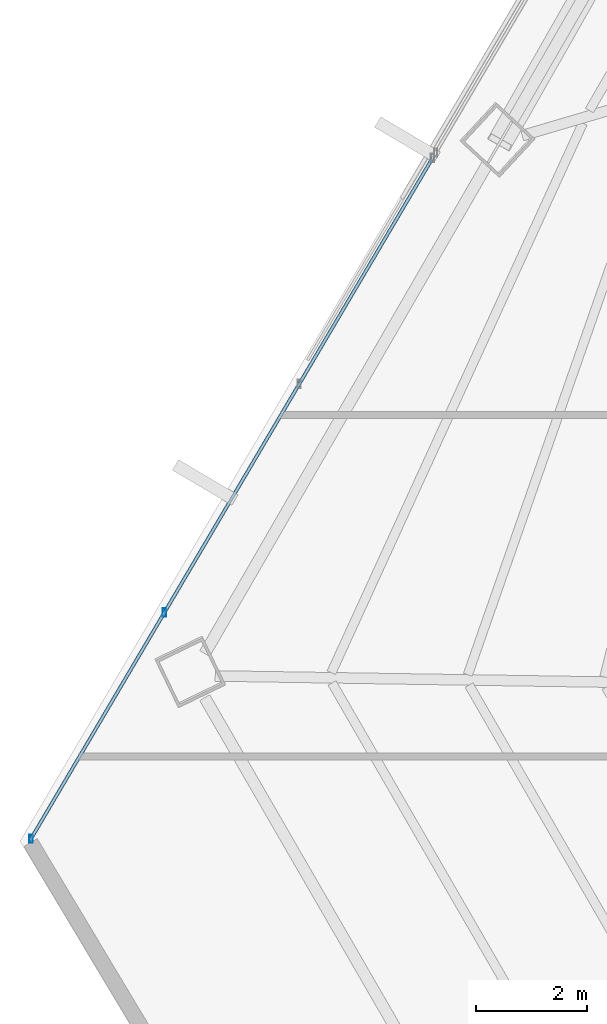
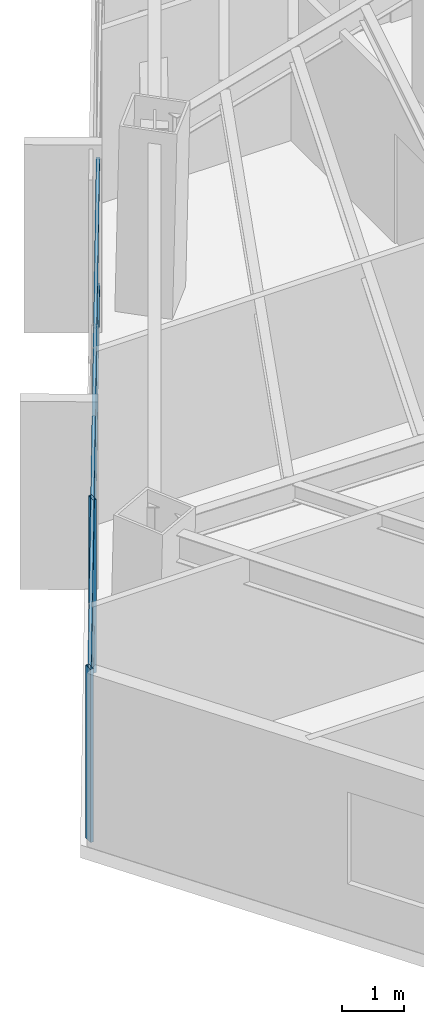
# One storey, part 6 of 40: 4 members, 1 element without a shape of its own.
"""IFC4 building model written with IfcOpenShell, lengths in metres."""

from ifc_helpers import new_model, si_unit, direction, frame, origin, origin_2d, place, context, subcontext, project, spatial, hollow_rectangle, extrude, source, transform, mapped, material, material_profile, profile_set, type_object, type_shapes, element, aggregate, save


model = new_model("IFC4")

# Units and contexts
model_context = context("Model", 3, precision=1e-05, world=origin(), true_north=direction((0.0, 1.0)))
body_context = subcontext(model_context, "Body", "Model", "MODEL_VIEW")
ifc_project = project(units=[si_unit("LENGTHUNIT", "METRE"), si_unit("AREAUNIT", "SQUARE_METRE"), si_unit("VOLUMEUNIT", "CUBIC_METRE"), si_unit("PLANEANGLEUNIT", "RADIAN"), si_unit("MASSUNIT", "GRAM", prefix="KILO")], contexts=[model_context])

# Site, building, storey
site_placement = place(None, origin())
site = spatial("IfcSite", under=ifc_project, at=site_placement, CompositionType="ELEMENT")
building_placement = place(site_placement, origin())
building = spatial("IfcBuilding", under=site, at=building_placement, Name="Caelisora Broadcast Tower", CompositionType="ELEMENT")
storey_placement = place(building_placement, frame((0.0, 0.0, 176.75)))
storey = spatial("IfcBuildingStorey", under=building, at=storey_placement, Name="L46", CompositionType="ELEMENT", Elevation=176.75)

# Curtain wall, members
ifc_material_1 = material(Name="Unitised Aluminium and Low-E Glass Curtain Wall", Category="glass")
curtain_wall_type = type_object("IfcCurtainWallType", Name="CW-Z3", PredefinedType="NOTDEFINED", material=ifc_material_1)
curtain_wall_placement = place(storey_placement, origin())
curtain_wall = element("IfcCurtainWall", 1, at=curtain_wall_placement, inside=storey, type_object=curtain_wall_type, Name="L46 curtain wall CW-Z3", PredefinedType="NOTDEFINED")
ifc_material_2 = material(Name="Aluminium 6063-T6 Anodised Terracotta Bronze", Category="aluminium")
ifc_material_profile_1 = material_profile(ifc_material_2, hollow_rectangle(XDim=0.06005859375, YDim=0.14990234375, WallThickness=0.00341796875, at=origin_2d()), Name="Aluminium 6063-T6 Anodised Terracotta Bronze")
ifc_profile_set_1 = profile_set([ifc_material_profile_1], Name="Aluminium 6063-T6 Anodised Terracotta Bronze")
member_type_1 = type_object("IfcMemberType", Name="CWM-03", PredefinedType="MULLION", material=ifc_profile_set_1)
shared_shape_1 = source(origin(), body_context, "Body", "SweptSolid", [
    extrude(hollow_rectangle(XDim=0.06005859375, YDim=0.14990234375, WallThickness=0.00341796875, at=origin_2d()), origin(), (0.0, 0.0, 1.0), 3.39990234375),
])
type_shapes(member_type_1, [shared_shape_1])
member_1_placement = place(storey_placement, frame((12.740478515625, 14.68603515625, 0.0), z_axis=(0.0, 0.0, 1.0), x_axis=(1.0, 0.0, 0.0)))
member_1 = element("IfcMember", 2, at=member_1_placement, type_object=member_type_1, Name="L46-CW-B09 mullion #0", PredefinedType="MULLION", context=body_context, shape_type="MappedRepresentation", body=[
    mapped(shared_shape_1, transform((0.0, 0.0, 0.0), scale=1.0)),
])
member_2_placement = place(storey_placement, frame((15.14990234375, 18.770751953125, 0.0), z_axis=(0.0, 0.0, 1.0), x_axis=(1.0, 0.0, 0.0)))
member_2 = element("IfcMember", 3, at=member_2_placement, type_object=member_type_1, Name="L46-CW-B09 mullion #1", PredefinedType="MULLION", context=body_context, shape_type="MappedRepresentation", body=[
    mapped(shared_shape_1, transform((0.0, 0.0, 0.0), scale=1.0)),
])
ifc_material_profile_2 = material_profile(ifc_material_2, hollow_rectangle(XDim=0.06005859375, YDim=0.14990234375, WallThickness=0.00341796875, at=origin_2d()), Name="Aluminium 6063-T6 Anodised Terracotta Bronze")
ifc_profile_set_2 = profile_set([ifc_material_profile_2], Name="Aluminium 6063-T6 Anodised Terracotta Bronze")
member_type_2 = type_object("IfcMemberType", Name="CWT-02", PredefinedType="USERDEFINED", material=ifc_profile_set_2)
shared_shape_2 = source(origin(), body_context, "Body", "SweptSolid", [
    extrude(hollow_rectangle(XDim=0.06005859375, YDim=0.14990234375, WallThickness=0.00341796875, at=origin_2d()), origin(), (0.0, 0.0, 1.0), 14.27734375),
])
type_shapes(member_type_2, [shared_shape_2])
member_3_placement = place(storey_placement, frame((12.740478515625, 14.68603515625, 0.85009765625), z_axis=(0.508068948305, 0.86131640166, 0.0), x_axis=(-0.86131640166, 0.508068948305, 0.0)))
member_3 = element("IfcMember", 4, at=member_3_placement, type_object=member_type_2, Name="L46-CW-B09 transom #1", ObjectType="TRANSOM", PredefinedType="USERDEFINED", context=body_context, shape_type="MappedRepresentation", body=[
    mapped(shared_shape_2, transform((0.0, 0.0, 0.0), scale=1.0)),
])
member_4_placement = place(storey_placement, frame((12.740478515625, 14.68603515625, 3.320068359375), z_axis=(0.508068948305, 0.86131640166, 0.0), x_axis=(-0.86131640166, 0.508068948305, 0.0)))
member_4 = element("IfcMember", 5, at=member_4_placement, type_object=member_type_2, Name="L46-CW-B09 transom #2", ObjectType="TRANSOM", PredefinedType="USERDEFINED", context=body_context, shape_type="MappedRepresentation", body=[
    mapped(shared_shape_2, transform((0.0, 0.0, 0.0), scale=1.0)),
])
aggregate(curtain_wall, [member_1, member_2, member_3, member_4])

save(model, "model.ifc")
